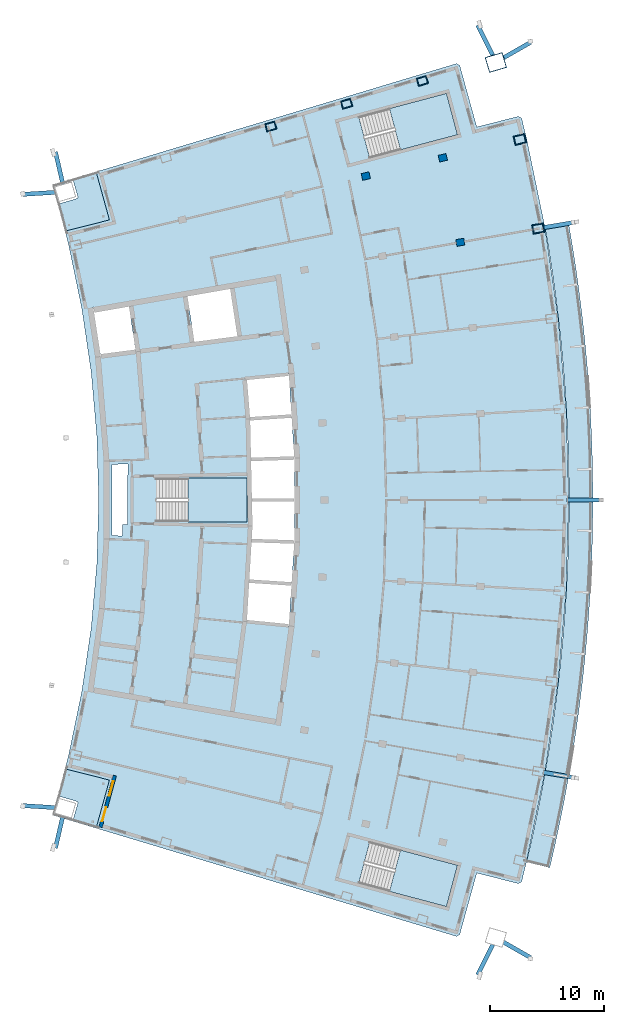
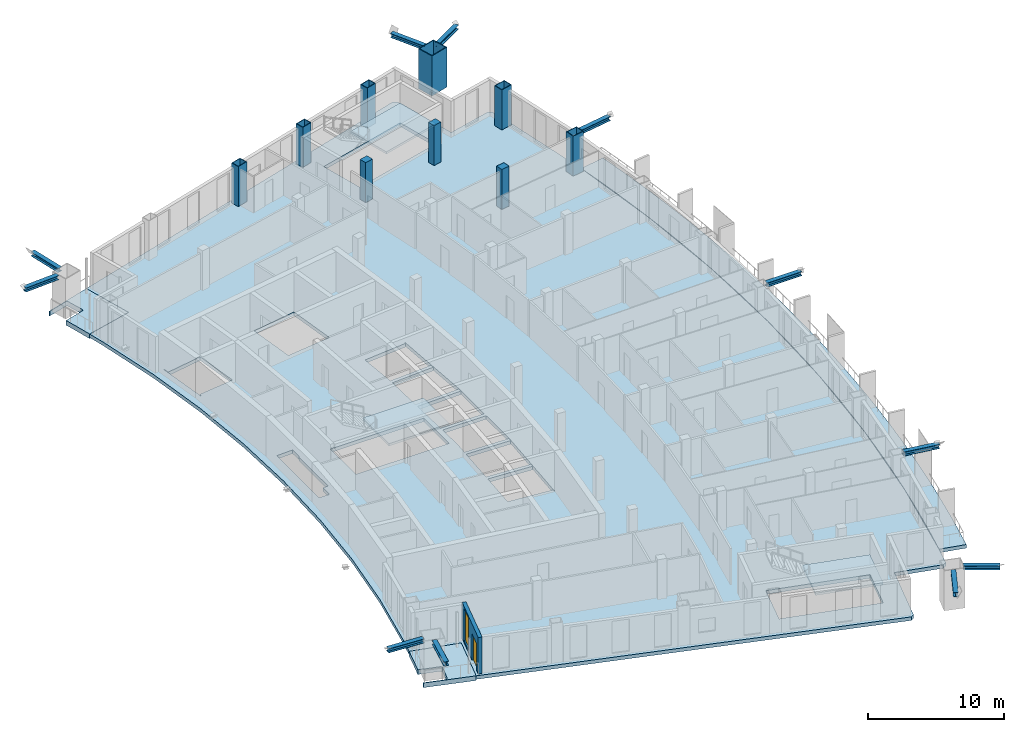
# One storey, part 6 of 20: 11 members, 9 columns, 7 slabs, 1 door, 1 wall, 1 window, 2 openings, 3 elements without a shape of their own.
"""IFC4 building model written with IfcOpenShell, lengths in metres."""

from ifc_helpers import new_model, si_unit, direction, frame, frame_2d, origin, origin_2d, place, context, subcontext, project, spatial, polyline, rectangle, hollow_rectangle, i_section, outline, extrude, material, layer, layer_set, material_profile, profile_set, type_object, element, fill, aggregate, save


model = new_model("IFC4")

# Units and contexts
model_context = context("Model", 3, precision=1e-05, world=origin(), true_north=direction((0.0, 1.0)))
body_context = subcontext(model_context, "Body", "Model", "MODEL_VIEW")
ifc_project = project(units=[si_unit("LENGTHUNIT", "METRE"), si_unit("AREAUNIT", "SQUARE_METRE"), si_unit("VOLUMEUNIT", "CUBIC_METRE"), si_unit("PLANEANGLEUNIT", "RADIAN"), si_unit("MASSUNIT", "GRAM", prefix="KILO")], contexts=[model_context])

# Site, building, storey
site_placement = place(None, origin())
site = spatial("IfcSite", under=ifc_project, at=site_placement, CompositionType="ELEMENT")
building_placement = place(site_placement, origin())
building = spatial("IfcBuilding", under=site, at=building_placement, Name="Alderwake Tower", CompositionType="ELEMENT")
storey_placement = place(building_placement, frame((0.0, 0.0, 263.60009765625)))
storey = spatial("IfcBuildingStorey", under=building, at=storey_placement, Name="L65", CompositionType="ELEMENT", Elevation=263.60009765625)

# Columns
ifc_material_1 = material(Name="Steel ASTM A572 Grade 50 concrete filled C70/85", Category="concrete")
ifc_material_profile_1 = material_profile(ifc_material_1, hollow_rectangle(XDim=0.699951171875, YDim=0.89990234375, WallThickness=0.050048828125, at=origin_2d()), Name="BOX 900X700X50")
ifc_profile_set_1 = profile_set([ifc_material_profile_1], Name="Steel ASTM A572 Grade 50 concrete filled C70/85")
column_type_1 = type_object("IfcColumnType", Name="End column Z5", PredefinedType="COLUMN", material=ifc_profile_set_1)
for number, where, z_axis, x_axis, name in (
    (1, (31.080322265625, 93.72314453125, 0.0), (0.0, 0.0, 1.0), (-0.282582549822, 0.959242984095, 0.0), "Column R12-C2"),
    (2, (37.720947265625, 95.716796875, 0.0), (0.0, 0.0, 1.0), (-0.282862128353, 0.959160579019, 0.0), "Column R12-C3"),
    (3, (44.361572265625, 97.71044921875, 0.0), (0.0, 0.0, 1.0), (-0.28311490023, 0.95908599889, 0.0), "Column R12-C4"),
):
    element("IfcColumn", number, at=place(storey_placement, frame(where, z_axis=z_axis, x_axis=x_axis)), inside=storey, type_object=column_type_1, Name=name, PredefinedType="COLUMN", context=body_context, shape_type="SweptSolid", body=[
        extrude(hollow_rectangle(XDim=0.699951171875, YDim=0.89990234375, WallThickness=0.050048828125, at=origin_2d()), origin(), (0.0, 0.0, 1.0), 3.599853515625),
    ])
ifc_material_2 = material(Name="Concrete C70/85", Category="concrete")
ifc_material_profile_2 = material_profile(ifc_material_2, rectangle(XDim=0.60009765625, YDim=0.699951171875, at=origin_2d()), Name="RC 700X600")
ifc_profile_set_2 = profile_set([ifc_material_profile_2], Name="Concrete C70/85")
column_type_2 = type_object("IfcColumnType", Name="Interior column Z5", PredefinedType="COLUMN", material=ifc_profile_set_2)
for number, where, z_axis, x_axis, name in (
    (4, (47.686279296875, 83.575927734375, 0.0), (0.0, 0.0, 1.0), (-0.174108800747, 0.984726421654, 0.0), "Column R10-C4"),
    (5, (39.407470703125, 89.378662109375, 0.0), (0.0, 0.0, 1.0), (-0.231221547198, 0.972901123502, 0.0), "Column R11-C3"),
    (6, (46.15283203125, 90.981689453125, 0.0), (0.0, 0.0, 1.0), (-0.231221547198, 0.972901123502, 0.0), "Column R11-C4"),
):
    element("IfcColumn", number, at=place(storey_placement, frame(where, z_axis=z_axis, x_axis=x_axis)), inside=storey, type_object=column_type_2, Name=name, PredefinedType="COLUMN", context=body_context, shape_type="SweptSolid", body=[
        extrude(rectangle(XDim=0.60009765625, YDim=0.699951171875, at=origin_2d()), origin(), (0.0, 0.0, 1.0), 3.599853515625),
    ])
ifc_material_3 = material(Name="Steel ASTM A572 Grade 50 concrete filled C70/85", Category="concrete")
ifc_material_profile_3 = material_profile(ifc_material_3, hollow_rectangle(XDim=1.39990234375, YDim=1.60009765625, WallThickness=0.070068359375, at=origin_2d()), Name="BOX 1600X1400X70")
ifc_profile_set_3 = profile_set([ifc_material_profile_3], Name="Steel ASTM A572 Grade 50 concrete filled C70/85")
column_type_3 = type_object("IfcColumnType", Name="Mega column Z5", PredefinedType="COLUMN", material=ifc_profile_set_3)
column_placement = place(storey_placement, frame((50.798828125, 99.33203125, 0.0), z_axis=(0.0, 0.0, 1.0), x_axis=(-0.281232869624, 0.959639553709, 0.0)))
element("IfcColumn", 7, at=column_placement, inside=storey, type_object=column_type_3, Name="Column R12-C5", PredefinedType="COLUMN", context=body_context, shape_type="SweptSolid", body=[
    extrude(hollow_rectangle(XDim=1.39990234375, YDim=1.60009765625, WallThickness=0.070068359375, at=origin_2d()), origin(), (0.0, 0.0, 1.0), 3.599853515625),
])
ifc_material_4 = material(Name="Steel ASTM A572 Grade 50 concrete filled C70/85", Category="concrete")
ifc_material_profile_4 = material_profile(ifc_material_4, hollow_rectangle(XDim=0.800048828125, YDim=1.0, WallThickness=0.054931640625, at=origin_2d()), Name="BOX 1000X800X55")
ifc_profile_set_4 = profile_set([ifc_material_profile_4], Name="Steel ASTM A572 Grade 50 concrete filled C70/85")
column_type_4 = type_object("IfcColumnType", Name="Perimeter column Z5", PredefinedType="COLUMN", material=ifc_profile_set_4)
for number, where, z_axis, x_axis, name in (
    (8, (54.513671875, 84.783203125, 0.0), (0.0, 0.0, 1.0), (-0.174108800747, 0.984726421654, 0.0), "Column R10-C5"),
    (9, (52.898193359375, 92.5849609375, 0.0), (0.0, 0.0, 1.0), (-0.231221547198, 0.972901123502, 0.0), "Column R11-C5"),
):
    element("IfcColumn", number, at=place(storey_placement, frame(where, z_axis=z_axis, x_axis=x_axis)), inside=storey, type_object=column_type_4, Name=name, PredefinedType="COLUMN", context=body_context, shape_type="SweptSolid", body=[
        extrude(hollow_rectangle(XDim=0.800048828125, YDim=1.0, WallThickness=0.054931640625, at=origin_2d()), origin(), (0.0, 0.0, 1.0), 3.599853515625),
    ])

# Members
ifc_material_5 = material(Name="Steel ASTM A992 Grade 50", Category="steel")
ifc_material_profile_5 = material_profile(ifc_material_5, i_section(OverallWidth=0.3740234375, OverallDepth=0.372314453125, WebThickness=0.016357421875, FlangeThickness=0.026123046875, at=origin_2d()), Name="W14X132")
ifc_profile_set_5 = profile_set([ifc_material_profile_5], Name="Steel ASTM A992 Grade 50")
member_type = type_object("IfcMemberType", Name="Brace node stub W14X132", PredefinedType="MEMBER", material=ifc_profile_set_5)
member_1_placement = place(storey_placement, frame((54.956787109375, 37.138427734375, 3.393798828125), z_axis=(0.985901364456, -0.167327521836, 0.0), x_axis=(0.167327521836, 0.985901364456, 0.0)))
element("IfcMember", 10, at=member_1_placement, inside=storey, type_object=member_type, Name="Brace node stub BS.FR04-C5.2672", PredefinedType="MEMBER", context=body_context, shape_type="SweptSolid", body=[
    extrude(i_section(OverallWidth=0.3740234375, OverallDepth=0.372314453125, WebThickness=0.016357421875, FlangeThickness=0.026123046875, at=origin_2d()), origin(), (0.0, 0.0, 1.0), 2.82470703125),
])
member_2_placement = place(storey_placement, frame((51.46337890625, 22.262939453125, 3.393798828125), z_axis=(0.867866401104, -0.496797654821, 0.0), x_axis=(0.496797654821, 0.867866401104, 0.0)))
element("IfcMember", 11, at=member_2_placement, inside=storey, type_object=member_type, Name="Brace node stub BS.FR02-C5.2672", PredefinedType="MEMBER", context=body_context, shape_type="SweptSolid", body=[
    extrude(i_section(OverallWidth=0.3740234375, OverallDepth=0.372314453125, WebThickness=0.016357421875, FlangeThickness=0.026123046875, at=origin_2d()), origin(), (0.0, 0.0, 1.0), 2.75341796875),
])
member_3_placement = place(storey_placement, frame((57.050048828125, 61.0, 3.393798828125), z_axis=(1.0, 0.0, 0.0), x_axis=(0.0, 1.0, 0.0)))
element("IfcMember", 12, at=member_3_placement, inside=storey, type_object=member_type, Name="Brace node stub BS.FR07-C5.2672", PredefinedType="MEMBER", context=body_context, shape_type="SweptSolid", body=[
    extrude(i_section(OverallWidth=0.3740234375, OverallDepth=0.372314453125, WebThickness=0.016357421875, FlangeThickness=0.026123046875, at=origin_2d()), origin(), (0.0, 0.0, 1.0), 2.96728515625),
])
member_4_placement = place(storey_placement, frame((54.956787109375, 84.861572265625, 3.393798828125), z_axis=(0.985915619223, 0.167243510406, 0.0), x_axis=(-0.167243510406, 0.985915619223, 0.0)))
element("IfcMember", 13, at=member_4_placement, inside=storey, type_object=member_type, Name="Brace node stub BS.FR10-C5.2672", PredefinedType="MEMBER", context=body_context, shape_type="SweptSolid", body=[
    extrude(i_section(OverallWidth=0.3740234375, OverallDepth=0.372314453125, WebThickness=0.016357421875, FlangeThickness=0.026123046875, at=origin_2d()), origin(), (0.0, 0.0, 1.0), 2.82470703125),
])
member_5_placement = place(storey_placement, frame((51.46337890625, 99.737060546875, 3.393798828125), z_axis=(0.867866401104, 0.496797654821, 0.0), x_axis=(-0.496797654821, 0.867866401104, 0.0)))
element("IfcMember", 14, at=member_5_placement, inside=storey, type_object=member_type, Name="Brace node stub BS.FR12-C5.2672", PredefinedType="MEMBER", context=body_context, shape_type="SweptSolid", body=[
    extrude(i_section(OverallWidth=0.3740234375, OverallDepth=0.372314453125, WebThickness=0.016357421875, FlangeThickness=0.026123046875, at=origin_2d()), origin(), (0.0, 0.0, 1.0), 2.75341796875),
])
for number, where, z_axis, x_axis, name in (
    (15, (12.291015625, 34.03759765625, 3.393798828125), (-0.998007506136, 0.063095306459, 0.0), (-0.063095306459, -0.998007506136, 0.0), "Brace node stub BS.RR02-C0.2672"),
    (16, (12.291015625, 87.96240234375, 3.393798828125), (-0.998007506136, -0.063095306459, 0.0), (0.063095306459, -0.998007506136, 0.0), "Brace node stub BS.RR12-C0.2672"),
):
    element("IfcMember", number, at=place(storey_placement, frame(where, z_axis=z_axis, x_axis=x_axis)), inside=storey, type_object=member_type, Name=name, PredefinedType="MEMBER", context=body_context, shape_type="SweptSolid", body=[
        extrude(i_section(OverallWidth=0.3740234375, OverallDepth=0.372314453125, WebThickness=0.016357421875, FlangeThickness=0.026123046875, at=origin_2d()), origin(), (0.0, 0.0, 1.0), 2.92529296875),
    ])
member_6_placement = place(storey_placement, frame((50.54296875, 22.065185546875, 3.393798828125), z_axis=(-0.447050341624, -0.894508799316, 0.0), x_axis=(0.894508799316, -0.447050341624, 0.0)))
element("IfcMember", 17, at=member_6_placement, inside=storey, type_object=member_type, Name="Brace node stub BS.SR02-C5.2672", PredefinedType="MEMBER", context=body_context, shape_type="SweptSolid", body=[
    extrude(i_section(OverallWidth=0.3740234375, OverallDepth=0.372314453125, WebThickness=0.016357421875, FlangeThickness=0.026123046875, at=origin_2d()), origin(), (0.0, 0.0, 1.0), 2.990966796875),
])
member_7_placement = place(storey_placement, frame((12.876953125, 33.379638671875, 3.393798828125), z_axis=(-0.224401557341, -0.974496762982, 0.0), x_axis=(0.974496762982, -0.224401557341, 0.0)))
element("IfcMember", 18, at=member_7_placement, inside=storey, type_object=member_type, Name="Brace node stub BS.SR02-C0.2672", PredefinedType="MEMBER", context=body_context, shape_type="SweptSolid", body=[
    extrude(i_section(OverallWidth=0.3740234375, OverallDepth=0.372314453125, WebThickness=0.016357421875, FlangeThickness=0.026123046875, at=origin_2d()), origin(), (0.0, 0.0, 1.0), 2.959228515625),
])
member_8_placement = place(storey_placement, frame((50.54296875, 99.934814453125, 3.393798828125), z_axis=(-0.447050341624, 0.894508799316, 0.0), x_axis=(-0.894508799316, -0.447050341624, 0.0)))
element("IfcMember", 19, at=member_8_placement, inside=storey, type_object=member_type, Name="Brace node stub BS.NR12-C5.2672", PredefinedType="MEMBER", context=body_context, shape_type="SweptSolid", body=[
    extrude(i_section(OverallWidth=0.3740234375, OverallDepth=0.372314453125, WebThickness=0.016357421875, FlangeThickness=0.026123046875, at=origin_2d()), origin(), (0.0, 0.0, 1.0), 2.990966796875),
])
member_9_placement = place(storey_placement, frame((12.876953125, 88.620361328125, 3.393798828125), z_axis=(-0.224401557341, 0.974496762982, 0.0), x_axis=(-0.974496762982, -0.224401557341, 0.0)))
element("IfcMember", 20, at=member_9_placement, inside=storey, type_object=member_type, Name="Brace node stub BS.NR12-C0.2672", PredefinedType="MEMBER", context=body_context, shape_type="SweptSolid", body=[
    extrude(i_section(OverallWidth=0.3740234375, OverallDepth=0.372314453125, WebThickness=0.016357421875, FlangeThickness=0.026123046875, at=origin_2d()), origin(), (0.0, 0.0, 1.0), 2.959228515625),
])

# Slabs
ifc_material_6 = material(Name="Concrete C50/60", Category="concrete")
ifc_layer_1 = layer(ifc_material_6, 0.320068359375)
ifc_layer_set_1 = layer_set([ifc_layer_1], Name="Balcony slab 320")
slab_type_1 = type_object("IfcSlabType", Name="Balcony slab 320", PredefinedType="FLOOR", material=ifc_layer_set_1)
slab_1_placement = place(storey_placement, frame((0.0, 0.0, -0.320068359375)))
element("IfcSlab", 21, at=slab_1_placement, inside=storey, type_object=slab_type_1, Name="Balcony BF03", PredefinedType="FLOOR", context=body_context, shape_type="SweptSolid", body=[
    extrude(outline(polyline([(55.98046875, 30.7705078125), (56.40673828125, 32.7568359375), (56.80419921875, 34.7490234375), (57.17236328125, 36.74658203125), (57.511474609375, 38.749755859375), (57.8212890625, 40.75732421875), (58.101806640625, 42.769287109375), (58.35302734375, 44.78515625), (58.57470703125, 46.804443359375), (58.76708984375, 48.826904296875), (58.9296875, 50.851806640625), (59.06298828125, 52.87890625), (59.166748046875, 54.90771484375), (59.24072265625, 56.937744140625), (59.28515625, 58.968505859375), (59.300048828125, 61.0), (59.28515625, 63.031494140625), (59.24072265625, 65.062255859375), (59.166748046875, 67.09228515625), (59.06298828125, 69.12109375), (58.9296875, 71.148193359375), (58.76708984375, 73.173095703125), (58.57470703125, 75.195556640625), (58.35302734375, 77.21484375), (58.101806640625, 79.230712890625), (57.8212890625, 81.24267578125), (57.511474609375, 83.250244140625), (57.17236328125, 85.25341796875), (55.1044921875, 84.8876953125), (55.4384765625, 82.914794921875), (55.74365234375, 80.9375), (56.02001953125, 78.955810546875), (56.267333984375, 76.970458984375), (56.485595703125, 74.9814453125), (56.675048828125, 72.98974609375), (56.83544921875, 70.995361328125), (56.966552734375, 68.998779296875), (57.068603515625, 67.00048828125), (57.1416015625, 65.001220703125), (57.185302734375, 63.000732421875), (57.199951171875, 61.0), (57.185302734375, 58.999267578125), (57.1416015625, 56.998779296875), (57.068603515625, 54.99951171875), (56.966552734375, 53.001220703125), (56.83544921875, 51.004638671875), (56.675048828125, 49.01025390625), (56.485595703125, 47.0185546875), (56.267333984375, 45.029541015625), (56.02001953125, 43.044189453125), (55.74365234375, 41.0625), (55.4384765625, 39.085205078125), (55.1044921875, 37.1123046875), (54.74169921875, 35.144775390625), (54.350341796875, 33.1826171875), (53.930419921875, 31.226318359375), (53.48193359375, 29.2763671875), (55.525146484375, 28.790771484375), (55.98046875, 30.7705078125)])), origin(), (0.0, 0.0, 1.0), 0.320068359375),
])
ifc_material_7 = material(Name="Concrete C50/60", Category="concrete")
ifc_layer_2 = layer(ifc_material_7, 0.320068359375)
ifc_layer_set_2 = layer_set([ifc_layer_2], Name="Concrete C50/60 post-tensioned flat plate 320")
slab_type_2 = type_object("IfcSlabType", Name="Concrete C50/60 post-tensioned flat plate 320", PredefinedType="FLOOR", material=ifc_layer_set_2)
slab_2_placement = place(storey_placement, frame((0.0, 0.0, -0.320068359375)))
element("IfcSlab", 22, at=slab_2_placement, inside=storey, type_object=slab_type_2, Name="Floor slab L65", PredefinedType="FLOOR", context=body_context, shape_type="SweptSolid", body=[
    extrude(outline(polyline([(13.06494140625, 37.443115234375), (13.3984375, 38.802734375), (14.53369140625, 44.28564453125), (15.347412109375, 49.825439453125), (15.836669921875, 55.4033203125), (16.0, 61.0), (15.836669921875, 66.5966796875), (15.347412109375, 72.174560546875), (14.53369140625, 77.71435546875), (13.3984375, 83.197265625), (13.06494140625, 84.556884765625), (16.942626953125, 85.53857421875), (15.776611328125, 89.7548828125), (47.35400390625, 99.2353515625), (47.6357421875, 99.079833984375), (49.12744140625, 93.685302734375), (52.7822265625, 94.6103515625), (53.06005859375, 94.443359375), (53.48193359375, 92.7236328125), (55.1044921875, 84.8876953125), (56.267333984375, 76.970458984375), (56.966552734375, 68.998779296875), (57.199951171875, 61.0), (56.966552734375, 53.001220703125), (56.267333984375, 45.029541015625), (55.1044921875, 37.1123046875), (53.48193359375, 29.2763671875), (53.06005859375, 27.556640625), (52.7822265625, 27.3896484375), (49.12744140625, 28.314697265625), (47.6357421875, 22.920166015625), (47.35400390625, 22.7646484375), (15.776611328125, 32.2451171875), (16.942626953125, 36.46142578125), (13.06494140625, 37.443115234375)]), holes=[polyline([(28.9853515625, 50.4306640625), (28.989013671875, 50.430419921875), (28.994140625, 50.485595703125), (32.646484375, 50.128173828125), (32.6318359375, 49.978759765625), (32.661865234375, 49.975830078125), (32.90087890625, 53.64794921875), (33.139892578125, 57.320068359375), (33.139892578125, 61.0), (33.139892578125, 64.679931640625), (32.90087890625, 68.35205078125), (32.661865234375, 72.024169921875), (32.6318359375, 72.021240234375), (32.646484375, 71.871826171875), (28.993896484375, 71.514404296875), (29.256591796875, 68.264892578125), (32.861083984375, 68.499755859375), (32.87109375, 68.35009765625), (32.880615234375, 68.200439453125), (29.278564453125, 67.9658203125), (29.274169921875, 68.032470703125), (29.2705078125, 68.0322265625), (29.34423828125, 64.70654296875), (33.105224609375, 64.828857421875), (33.110107421875, 64.678955078125), (33.114990234375, 64.529052734375), (29.350830078125, 64.406494140625), (29.4228515625, 61.14990234375), (33.110107421875, 61.14990234375), (33.110107421875, 61.0), (33.110107421875, 60.85009765625), (29.429443359375, 60.85009765625), (29.4765625, 58.72314453125), (29.409423828125, 57.591552734375), (33.114990234375, 57.470947265625), (33.110107421875, 57.321044921875), (33.105224609375, 57.171142578125), (29.395751953125, 57.291748046875), (29.39599609375, 57.3017578125), (29.392333984375, 57.302001953125), (29.198974609375, 54.039306640625), (32.880615234375, 53.799560546875), (32.87109375, 53.64990234375), (32.861083984375, 53.500244140625), (29.181396484375, 53.739990234375), (28.9853515625, 50.4306640625)]), polyline([(21.050048828125, 62.875), (21.050048828125, 59.125), (29.0, 59.125), (29.0, 62.875), (21.050048828125, 62.875)]), polyline([(15.54345703125, 77.892822265625), (15.437744140625, 77.874267578125), (15.4384765625, 77.87060546875), (15.519287109375, 77.8828125), (16.180908203125, 73.579833984375), (16.210693359375, 73.583740234375), (16.184814453125, 73.781982421875), (19.224609375, 74.1796875), (18.656005859375, 77.940673828125), (18.852294921875, 77.97021484375), (18.8505859375, 77.980224609375), (15.626220703125, 77.418212890625), (15.54345703125, 77.892822265625)]), polyline([(27.521240234375, 79.491943359375), (23.77783203125, 78.83935546875), (24.384033203125, 74.858642578125), (24.3642578125, 74.855712890625), (24.36474609375, 74.851806640625), (28.152587890625, 75.347412109375), (27.521240234375, 79.491943359375)]), polyline([(47.436279296875, 28.996826171875), (39.754150390625, 31.043212890625), (38.7890625, 27.41943359375), (46.47119140625, 25.373291015625), (47.436279296875, 28.996826171875)]), polyline([(46.47119140625, 96.626708984375), (38.7890625, 94.58056640625), (39.754150390625, 90.956787109375), (47.436279296875, 93.003173828125), (46.47119140625, 96.626708984375)]), polyline([(17.189453125, 64.114990234375), (17.189453125, 57.885009765625), (18.06298828125, 57.85400390625), (18.090576171875, 58.84375), (18.544189453125, 58.831298828125), (18.529296875, 58.8681640625), (18.5234375, 58.891845703125), (18.5185546875, 58.940673828125), (18.5185546875, 63.060302734375), (18.5234375, 63.109130859375), (18.53759765625, 63.156005859375), (18.560791015625, 63.19921875), (18.588623046875, 63.2333984375), (18.562744140625, 64.16357421875), (17.189453125, 64.114990234375)])]), origin(), (0.0, 0.0, 1.0), 0.320068359375),
])

# Stair, slab
ifc_material_8 = material(Name="Concrete C40/50", Category="concrete")
stair_type = type_object("IfcStairType", Name="Core exit stair", PredefinedType="HALF_TURN_STAIR", material=ifc_material_8)
stair_1_placement = place(storey_placement, origin())
stair_1 = element("IfcStair", 23, at=stair_1_placement, inside=storey, type_object=stair_type, Name="L65 Exit Stair B", PredefinedType="HALF_TURN_STAIR")
ifc_material_9 = material(Name="Concrete C40/50", Category="concrete")
ifc_layer_3 = layer(ifc_material_9, 0.199951171875)
ifc_layer_set_3 = layer_set([ifc_layer_3], Name="Core stair landing 200")
slab_type_3 = type_object("IfcSlabType", Name="Core stair landing 200", PredefinedType="LANDING", material=ifc_layer_set_3)
slab_3_placement = place(storey_placement, frame((0.0, 0.0, 1.599853515625)))
slab_3 = element("IfcSlab", 24, at=slab_3_placement, type_object=slab_type_3, Name="ST-B landing 1", PredefinedType="LANDING", context=body_context, shape_type="SweptSolid", body=[
    extrude(outline(polyline([(23.830078125, 59.074951171875), (29.0, 59.074951171875), (29.0, 62.925048828125), (23.830078125, 62.925048828125), (23.830078125, 59.074951171875)])), origin(), (0.0, 0.0, 1.0), 0.199951171875),
])
aggregate(stair_1, [slab_3])

stair_2_placement = place(storey_placement, origin())
stair_2 = element("IfcStair", 25, at=stair_2_placement, inside=storey, type_object=stair_type, Name="L65 Exit Stair A", PredefinedType="HALF_TURN_STAIR")
slab_4_placement = place(storey_placement, frame((0.0, 0.0, 1.599853515625)))
slab_4 = element("IfcSlab", 26, at=slab_4_placement, type_object=slab_type_3, Name="ST-A landing 1", PredefinedType="LANDING", context=body_context, shape_type="SweptSolid", body=[
    extrude(outline(polyline([(42.440673828125, 91.67236328125), (47.436279296875, 93.003173828125), (46.47119140625, 96.626708984375), (41.475341796875, 95.296142578125), (42.440673828125, 91.67236328125)])), origin(), (0.0, 0.0, 1.0), 0.199951171875),
])
aggregate(stair_2, [slab_4])

stair_3_placement = place(storey_placement, origin())
stair_3 = element("IfcStair", 27, at=stair_3_placement, inside=storey, type_object=stair_type, Name="L65 Exit Stair C", PredefinedType="HALF_TURN_STAIR")
slab_5_placement = place(storey_placement, frame((0.0, 0.0, 1.599853515625)))
slab_5 = element("IfcSlab", 28, at=slab_5_placement, type_object=slab_type_3, Name="ST-C landing 1", PredefinedType="LANDING", context=body_context, shape_type="SweptSolid", body=[
    extrude(outline(polyline([(41.475341796875, 26.703857421875), (46.47119140625, 25.373291015625), (47.436279296875, 28.996826171875), (42.4404296875, 30.32763671875), (41.475341796875, 26.703857421875)])), origin(), (0.0, 0.0, 1.0), 0.199951171875),
])
aggregate(stair_3, [slab_5])

# Slabs
ifc_material_10 = material(Name="Concrete C50/60", Category="concrete")
ifc_layer_4 = layer(ifc_material_10, 0.419921875)
ifc_layer_set_4 = layer_set([ifc_layer_4], Name="Terrace slab 420")
slab_type_4 = type_object("IfcSlabType", Name="Terrace slab 420", PredefinedType="FLOOR", material=ifc_layer_set_4)
slab_6_placement = place(storey_placement, frame((0.0, 0.0, -0.420166015625)))
element("IfcSlab", 29, at=slab_6_placement, inside=storey, type_object=slab_type_4, Name="Corner terrace RS", PredefinedType="FLOOR", context=body_context, shape_type="SweptSolid", body=[
    extrude(outline(polyline([(15.776611328125, 32.2451171875), (11.945556640625, 33.395263671875), (11.9697265625, 33.478271484375), (11.97607421875, 33.46826171875), (11.985107421875, 33.456298828125), (11.9951171875, 33.44580078125), (12.006103515625, 33.435791015625), (12.017822265625, 33.42724609375), (12.03076171875, 33.419921875), (12.0439453125, 33.413818359375), (12.05810546875, 33.408935546875), (13.594482421875, 32.963134765625), (13.60888671875, 32.959716796875), (13.62353515625, 32.957763671875), (13.63818359375, 32.957275390625), (13.65283203125, 32.9580078125), (13.66748046875, 32.96044921875), (13.681640625, 32.964111328125), (13.695556640625, 32.969482421875), (13.708740234375, 32.975830078125), (13.72119140625, 32.9833984375), (13.73291015625, 32.992431640625), (13.74365234375, 33.00244140625), (13.75341796875, 33.013427734375), (13.76220703125, 33.025390625), (13.76953125, 33.0380859375), (13.775634765625, 33.051513671875), (13.780517578125, 33.0654296875), (14.17041015625, 34.409912109375), (14.173828125, 34.42431640625), (14.17578125, 34.43896484375), (14.176513671875, 34.45361328125), (14.175537109375, 34.46826171875), (14.173095703125, 34.48291015625), (14.16943359375, 34.4970703125), (14.164306640625, 34.510986328125), (14.157958984375, 34.524169921875), (14.150146484375, 34.53662109375), (14.14111328125, 34.54833984375), (14.131103515625, 34.55908203125), (14.1201171875, 34.56884765625), (14.1083984375, 34.577392578125), (14.095458984375, 34.5849609375), (14.082275390625, 34.591064453125), (14.068115234375, 34.595947265625), (12.531494140625, 35.04150390625), (12.517333984375, 35.044921875), (12.502685546875, 35.047119140625), (12.488037109375, 35.047607421875), (12.473388671875, 35.046630859375), (12.458740234375, 35.044189453125), (12.444580078125, 35.04052734375), (12.4306640625, 35.035400390625), (12.418701171875, 35.029541015625), (12.71142578125, 36.08837890625), (13.06494140625, 37.443115234375), (16.942626953125, 36.46142578125), (15.776611328125, 32.2451171875)])), origin(), (0.0, 0.0, 1.0), 0.420166015625),
])
slab_7_placement = place(storey_placement, frame((0.0, 0.0, -0.420166015625)))
element("IfcSlab", 30, at=slab_7_placement, inside=storey, type_object=slab_type_4, Name="Corner terrace RN", PredefinedType="FLOOR", context=body_context, shape_type="SweptSolid", body=[
    extrude(outline(polyline([(12.418701171875, 86.970458984375), (12.4306640625, 86.964599609375), (12.444580078125, 86.95947265625), (12.458740234375, 86.955810546875), (12.473388671875, 86.953369140625), (12.488037109375, 86.952392578125), (12.502685546875, 86.952880859375), (12.517333984375, 86.955078125), (12.531494140625, 86.95849609375), (14.068115234375, 87.404052734375), (14.082275390625, 87.408935546875), (14.095458984375, 87.4150390625), (14.1083984375, 87.422607421875), (14.1201171875, 87.43115234375), (14.131103515625, 87.44091796875), (14.14111328125, 87.45166015625), (14.150146484375, 87.46337890625), (14.157958984375, 87.475830078125), (14.164306640625, 87.489013671875), (14.16943359375, 87.5029296875), (14.173095703125, 87.51708984375), (14.175537109375, 87.53173828125), (14.176513671875, 87.54638671875), (14.17578125, 87.56103515625), (14.173828125, 87.57568359375), (14.17041015625, 87.590087890625), (13.780517578125, 88.9345703125), (13.775634765625, 88.948486328125), (13.76953125, 88.9619140625), (13.76220703125, 88.974609375), (13.75341796875, 88.986572265625), (13.74365234375, 88.99755859375), (13.73291015625, 89.007568359375), (13.72119140625, 89.0166015625), (13.708740234375, 89.024169921875), (13.695556640625, 89.030517578125), (13.681640625, 89.035888671875), (13.66748046875, 89.03955078125), (13.65283203125, 89.0419921875), (13.63818359375, 89.042724609375), (13.62353515625, 89.042236328125), (13.60888671875, 89.040283203125), (13.594482421875, 89.036865234375), (12.05810546875, 88.591064453125), (12.0439453125, 88.586181640625), (12.03076171875, 88.580078125), (12.017822265625, 88.57275390625), (12.006103515625, 88.564208984375), (11.9951171875, 88.55419921875), (11.985107421875, 88.543701171875), (11.97607421875, 88.53173828125), (11.9697265625, 88.521728515625), (11.945556640625, 88.604736328125), (15.776611328125, 89.7548828125), (16.942626953125, 85.53857421875), (13.06494140625, 84.556884765625), (12.71142578125, 85.91162109375), (12.418701171875, 86.970458984375)])), origin(), (0.0, 0.0, 1.0), 0.420166015625),
])

# Wall, openings, door, window
ifc_material_11 = material(Name="Bronze metal cladding on lightweight framing")
ifc_layer_5 = layer(ifc_material_11, 0.300048828125)
ifc_layer_set_5 = layer_set([ifc_layer_5], Name="External wall EW2 bronze metal cladding")
wall_type = type_object("IfcWallType", Name="External wall EW2 bronze metal cladding", PredefinedType="SOLIDWALL", material=ifc_layer_set_5)
wall_placement = place(storey_placement, frame((17.410400390625, 36.85888671875, 0.0), z_axis=(0.0, 0.0, 1.0), x_axis=(-0.264592640785, -0.96436027212, 0.0)))
wall = element("IfcWall", 31, at=wall_placement, inside=storey, type_object=wall_type, Name="External wall 3", PredefinedType="SOLIDWALL", context=body_context, shape_type="SweptSolid", body=[
    extrude(rectangle(XDim=4.690185546875, YDim=0.300048828125, at=frame_2d((2.34521484375, 0.0))), origin(), (0.0, 0.0, 1.0), 3.27978515625),
])
opening_1_placement = place(wall_placement, frame((0.5224609375, 0.0, 0.199951171875)))
opening_1 = element("IfcOpeningElement", 32, at=opening_1_placement, cuts=wall, Name="Opening W1", PredefinedType="OPENING", context=body_context, shape_type="SweptSolid", body=[
    extrude(rectangle(XDim=1.300048828125, YDim=2.89990234375, at=frame_2d((0.64990234375, 1.449951171875))), frame((0.0, 0.159912109375, 0.0), z_axis=(0.0, -1.0, 0.0), x_axis=(1.0, 0.0, 0.0)), (0.0, 0.0, 1.0), 0.320068359375),
])
opening_2_placement = place(wall_placement, frame((2.867431640625, 0.0, 0.0)))
opening_2 = element("IfcOpeningElement", 33, at=opening_2_placement, cuts=wall, Name="Opening D01", PredefinedType="OPENING", context=body_context, shape_type="SweptSolid", body=[
    extrude(rectangle(XDim=1.300048828125, YDim=2.39990234375, at=frame_2d((0.64990234375, 1.199951171875))), frame((0.0, 0.159912109375, 0.0), z_axis=(0.0, -1.0, 0.0), x_axis=(1.0, 0.0, 0.0)), (0.0, 0.0, 1.0), 0.320068359375),
])
ifc_material_12 = material(Name="Bronze tinted glass in aluminium frame", Category="aluminium")
door_type = type_object("IfcDoorType", Name="Balcony door BD sliding", OperationType="SLIDING_TO_LEFT", PredefinedType="DOOR", material=ifc_material_12)
door_placement = place(opening_2_placement, origin())
door = element("IfcDoor", 34, at=door_placement, inside=storey, type_object=door_type, Name="Door D01", OperationType="SLIDING_TO_LEFT", OverallHeight=2.39990234375, OverallWidth=1.300048828125, PredefinedType="DOOR", context=body_context, shape_type="SweptSolid", body=[
    extrude(rectangle(XDim=1.300048828125, YDim=2.39990234375, at=frame_2d((0.64990234375, 1.199951171875))), frame((0.0, 0.02490234375, 0.0), z_axis=(0.0, -1.0, 0.0), x_axis=(1.0, 0.0, 0.0)), (0.0, 0.0, 1.0), 0.050048828125),
])
fill(opening_2, door)
ifc_material_13 = material(Name="Bronze tinted glass in aluminium frame", Category="aluminium")
window_type = type_object("IfcWindowType", Name="Window W1 tall fixed and vent", PartitioningType="DOUBLE_PANEL_VERTICAL", PredefinedType="WINDOW", material=ifc_material_13)
window_placement = place(opening_1_placement, origin())
window = element("IfcWindow", 35, at=window_placement, inside=storey, type_object=window_type, Name="Window W1 tall fixed and vent", OverallHeight=2.89990234375, OverallWidth=1.300048828125, PartitioningType="DOUBLE_PANEL_VERTICAL", PredefinedType="WINDOW", context=body_context, shape_type="SweptSolid", body=[
    extrude(rectangle(XDim=1.300048828125, YDim=2.89990234375, at=frame_2d((0.64990234375, 1.449951171875))), frame((0.0, 0.030029296875, 0.0), z_axis=(0.0, -1.0, 0.0), x_axis=(1.0, 0.0, 0.0)), (0.0, 0.0, 1.0), 0.06005859375),
])
fill(opening_1, window)

save(model, "model.ifc")
